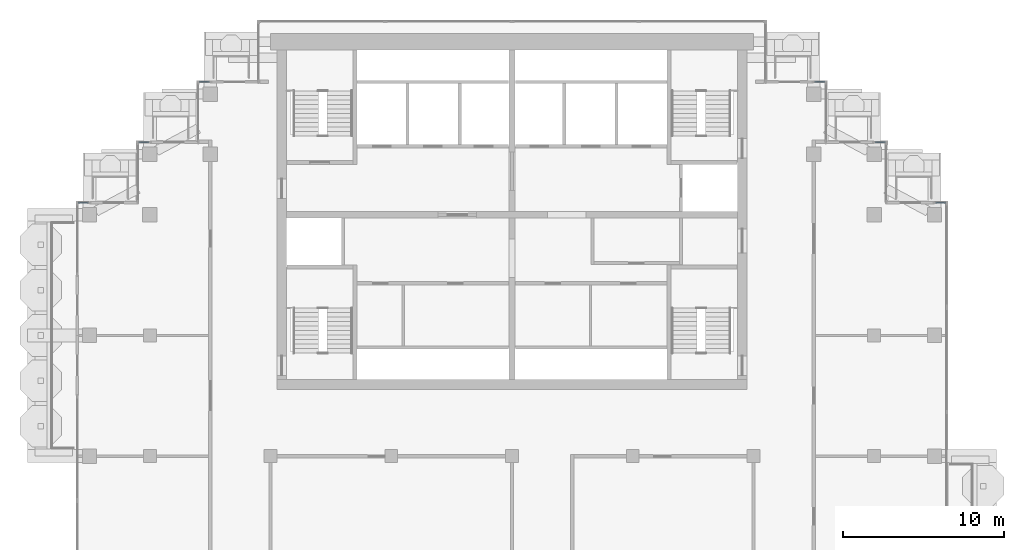
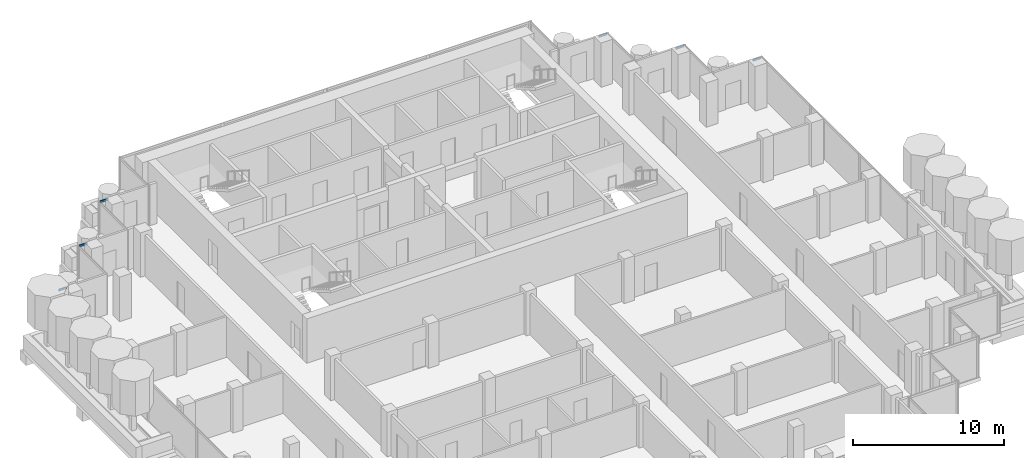
# One storey, part 7 of 18: 6 members, 6 elements without a shape of their own.
"""IFC4 building model written with IfcOpenShell, lengths in metres."""

from ifc_helpers import new_model, si_unit, direction, frame, origin, origin_2d, place, context, subcontext, project, spatial, rectangle, extrude, material, material_profile, profile_set, type_object, element, aggregate, save


model = new_model("IFC4")

# Units and contexts
model_context = context("Model", 3, precision=1e-05, world=origin(), true_north=direction((0.0, 1.0)))
body_context = subcontext(model_context, "Body", "Model", "MODEL_VIEW")
ifc_project = project(units=[si_unit("LENGTHUNIT", "METRE"), si_unit("AREAUNIT", "SQUARE_METRE"), si_unit("VOLUMEUNIT", "CUBIC_METRE"), si_unit("PLANEANGLEUNIT", "RADIAN"), si_unit("MASSUNIT", "GRAM", prefix="KILO")], contexts=[model_context])

# Site, building, storey
site_placement = place(None, origin())
site = spatial("IfcSite", under=ifc_project, at=site_placement, CompositionType="ELEMENT")
building_placement = place(site_placement, origin())
building = spatial("IfcBuilding", under=site, at=building_placement, Name="Pilkhan Gate Tower", CompositionType="ELEMENT")
storey_placement = place(building_placement, frame((0.0, 0.0, 242.699951171875)))
storey = spatial("IfcBuildingStorey", under=building, at=storey_placement, Name="L63", CompositionType="ELEMENT", Elevation=242.699951171875)

# Curtain wall, member
ifc_material_1 = material(Name="Pale anodised aluminium, clear low-iron double glazing", Category="aluminium")
curtain_wall_type = type_object("IfcCurtainWallType", Name="Office unitised curtain wall CW-O2", PredefinedType="USERDEFINED", material=ifc_material_1)
curtain_wall_1_placement = place(storey_placement, origin())
curtain_wall_1 = element("IfcCurtainWall", 1, at=curtain_wall_1_placement, inside=storey, type_object=curtain_wall_type, Name="Office unitised curtain wall CW-O2 L63 N", ObjectType="UNITISED CURTAIN WALL", PredefinedType="USERDEFINED")
ifc_material_2 = material(Name="Pale anodised aluminium", Category="aluminium")
ifc_material_profile = material_profile(ifc_material_2, rectangle(XDim=0.06494140625, YDim=0.1650390625, at=origin_2d()), Name="Transom 165x65")
ifc_profile_set = profile_set([ifc_material_profile], Name="Pale anodised aluminium")
member_type = type_object("IfcMemberType", Name="Transom CW-O2 165x65", PredefinedType="USERDEFINED", material=ifc_profile_set)
member_1_placement = place(storey_placement, frame((101.31494140625, 83.25, 3.217529296875), z_axis=(1.0, 0.0, 0.0), x_axis=(0.0, 1.0, 0.0)))
member_1 = element("IfcMember", 2, at=member_1_placement, type_object=member_type, Name="CW-O2 transom 1", ObjectType="TRANSOM", PredefinedType="USERDEFINED", context=body_context, shape_type="SweptSolid", body=[
    extrude(rectangle(XDim=0.06494140625, YDim=0.1650390625, at=origin_2d()), origin(), (0.0, 0.0, 1.0), 0.6201171875),
])
aggregate(curtain_wall_1, [member_1])

curtain_wall_2_placement = place(storey_placement, origin())
curtain_wall_2 = element("IfcCurtainWall", 3, at=curtain_wall_2_placement, inside=storey, type_object=curtain_wall_type, Name="Office unitised curtain wall CW-O2 L63 N", ObjectType="UNITISED CURTAIN WALL", PredefinedType="USERDEFINED")
member_2_placement = place(storey_placement, frame((97.56494140625, 87.0, 3.217529296875), z_axis=(1.0, 0.0, 0.0), x_axis=(0.0, 1.0, 0.0)))
member_2 = element("IfcMember", 4, at=member_2_placement, type_object=member_type, Name="CW-O2 transom 1", ObjectType="TRANSOM", PredefinedType="USERDEFINED", context=body_context, shape_type="SweptSolid", body=[
    extrude(rectangle(XDim=0.06494140625, YDim=0.1650390625, at=origin_2d()), origin(), (0.0, 0.0, 1.0), 0.6201171875),
])
aggregate(curtain_wall_2, [member_2])

curtain_wall_3_placement = place(storey_placement, origin())
curtain_wall_3 = element("IfcCurtainWall", 5, at=curtain_wall_3_placement, inside=storey, type_object=curtain_wall_type, Name="Office unitised curtain wall CW-O2 L63 N", ObjectType="UNITISED CURTAIN WALL", PredefinedType="USERDEFINED")
member_3_placement = place(storey_placement, frame((93.81494140625, 90.75, 3.217529296875), z_axis=(1.0, 0.0, 0.0), x_axis=(0.0, 1.0, 0.0)))
member_3 = element("IfcMember", 6, at=member_3_placement, type_object=member_type, Name="CW-O2 transom 1", ObjectType="TRANSOM", PredefinedType="USERDEFINED", context=body_context, shape_type="SweptSolid", body=[
    extrude(rectangle(XDim=0.06494140625, YDim=0.1650390625, at=origin_2d()), origin(), (0.0, 0.0, 1.0), 0.6201171875),
])
aggregate(curtain_wall_3, [member_3])

curtain_wall_4_placement = place(storey_placement, origin())
curtain_wall_4 = element("IfcCurtainWall", 7, at=curtain_wall_4_placement, inside=storey, type_object=curtain_wall_type, Name="Office unitised curtain wall CW-O2 L63 N", ObjectType="UNITISED CURTAIN WALL", PredefinedType="USERDEFINED")
member_4_placement = place(storey_placement, frame((55.56494140625, 90.75, 3.217529296875), z_axis=(1.0, 0.0, 0.0), x_axis=(0.0, 1.0, 0.0)))
member_4 = element("IfcMember", 8, at=member_4_placement, type_object=member_type, Name="CW-O2 transom 1", ObjectType="TRANSOM", PredefinedType="USERDEFINED", context=body_context, shape_type="SweptSolid", body=[
    extrude(rectangle(XDim=0.06494140625, YDim=0.1650390625, at=origin_2d()), origin(), (0.0, 0.0, 1.0), 0.6201171875),
])
aggregate(curtain_wall_4, [member_4])

curtain_wall_5_placement = place(storey_placement, origin())
curtain_wall_5 = element("IfcCurtainWall", 9, at=curtain_wall_5_placement, inside=storey, type_object=curtain_wall_type, Name="Office unitised curtain wall CW-O2 L63 N", ObjectType="UNITISED CURTAIN WALL", PredefinedType="USERDEFINED")
member_5_placement = place(storey_placement, frame((51.81494140625, 87.0, 3.217529296875), z_axis=(1.0, 0.0, 0.0), x_axis=(0.0, 1.0, 0.0)))
member_5 = element("IfcMember", 10, at=member_5_placement, type_object=member_type, Name="CW-O2 transom 1", ObjectType="TRANSOM", PredefinedType="USERDEFINED", context=body_context, shape_type="SweptSolid", body=[
    extrude(rectangle(XDim=0.06494140625, YDim=0.1650390625, at=origin_2d()), origin(), (0.0, 0.0, 1.0), 0.6201171875),
])
aggregate(curtain_wall_5, [member_5])

curtain_wall_6_placement = place(storey_placement, origin())
curtain_wall_6 = element("IfcCurtainWall", 11, at=curtain_wall_6_placement, inside=storey, type_object=curtain_wall_type, Name="Office unitised curtain wall CW-O2 L63 N", ObjectType="UNITISED CURTAIN WALL", PredefinedType="USERDEFINED")
member_6_placement = place(storey_placement, frame((48.06494140625, 83.25, 3.217529296875), z_axis=(1.0, 0.0, 0.0), x_axis=(0.0, 1.0, 0.0)))
member_6 = element("IfcMember", 12, at=member_6_placement, type_object=member_type, Name="CW-O2 transom 1", ObjectType="TRANSOM", PredefinedType="USERDEFINED", context=body_context, shape_type="SweptSolid", body=[
    extrude(rectangle(XDim=0.06494140625, YDim=0.1650390625, at=origin_2d()), origin(), (0.0, 0.0, 1.0), 0.6201171875),
])
aggregate(curtain_wall_6, [member_6])

save(model, "model.ifc")
